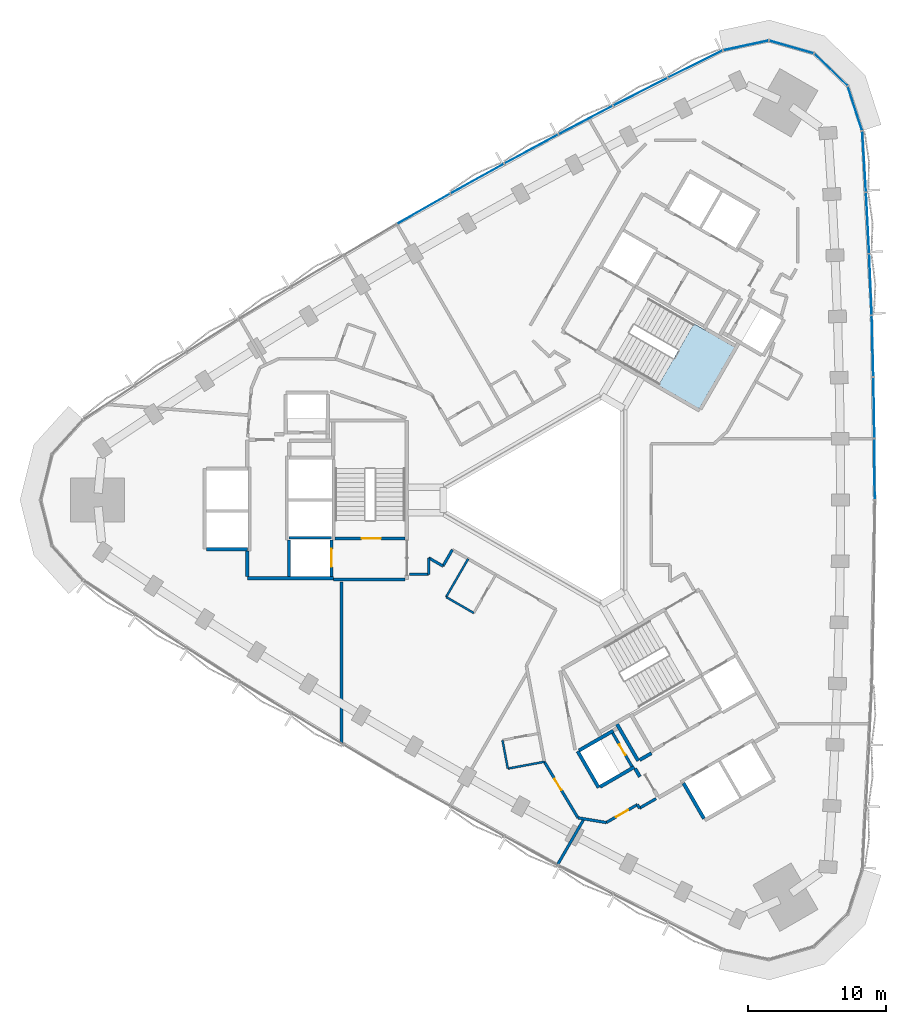
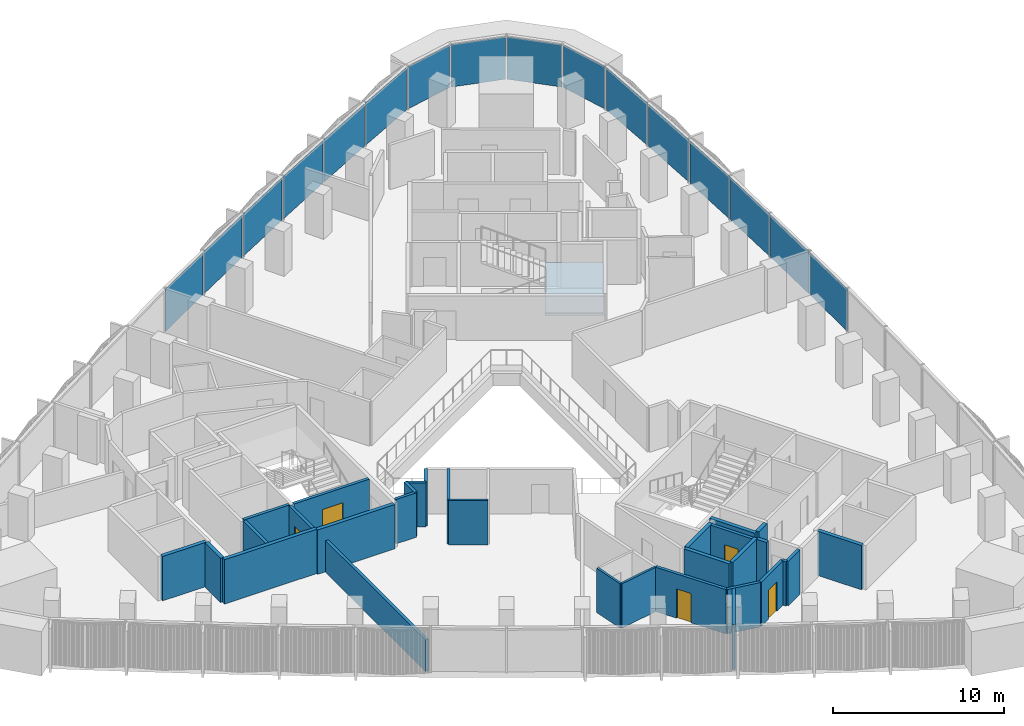
# One storey, part 7 of 15: 31 walls, 16 plates, 5 doors, 1 slab, 5 openings, 3 elements without a shape of their own.
"""IFC4 building model written with IfcOpenShell, lengths in metres."""

from ifc_helpers import new_model, si_unit, direction, frame, frame_2d, origin, origin_2d, place, context, subcontext, project, spatial, polyline, rectangle, outline, extrude, material, layer, layer_set, type_object, element, fill, aggregate, save


model = new_model("IFC4")

# Units and contexts
model_context = context("Model", 3, precision=1e-05, world=origin(), true_north=direction((0.0, 1.0)))
body_context = subcontext(model_context, "Body", "Model", "MODEL_VIEW")
ifc_project = project(units=[si_unit("LENGTHUNIT", "METRE"), si_unit("AREAUNIT", "SQUARE_METRE"), si_unit("VOLUMEUNIT", "CUBIC_METRE"), si_unit("PLANEANGLEUNIT", "RADIAN"), si_unit("MASSUNIT", "GRAM", prefix="KILO")], contexts=[model_context])

# Site, building, storey
site_placement = place(None, origin())
site = spatial("IfcSite", under=ifc_project, at=site_placement, CompositionType="ELEMENT")
building_placement = place(site_placement, origin())
building = spatial("IfcBuilding", under=site, at=building_placement, Name="Tamra Quay Hotel Tower", CompositionType="ELEMENT")
storey_placement = place(building_placement, frame((0.0, 0.0, 108.199951171875)))
storey = spatial("IfcBuildingStorey", under=building, at=storey_placement, Name="L26", CompositionType="ELEMENT", Elevation=108.199951171875)

# Stair, slab
ifc_material_1 = material(Name="Exit stair 2200 24 risers 150.0 going 342")
stair_type = type_object("IfcStairType", Name="Exit stair 2200 24 risers 150.0 going 342", PredefinedType="HALF_TURN_STAIR", material=ifc_material_1)
stair_placement = place(storey_placement, origin())
stair = element("IfcStair", 1, at=stair_placement, inside=storey, type_object=stair_type, Name="L26 Exit stair ST1", PredefinedType="HALF_TURN_STAIR")
ifc_material_2 = material(Name="Concrete M70", Category="concrete")
ifc_layer_1 = layer(ifc_material_2, 0.175048828125)
ifc_layer_set_1 = layer_set([ifc_layer_1], Name="Concrete M70 stair landing 180")
slab_type = type_object("IfcSlabType", Name="Concrete M70 stair landing 180", PredefinedType="LANDING", material=ifc_layer_set_1)
slab_placement = place(storey_placement, frame((0.0, 0.0, 1.625)))
slab = element("IfcSlab", 2, at=slab_placement, type_object=slab_type, Name="ST1 landing 1", PredefinedType="LANDING", context=body_context, shape_type="SweptSolid", body=[
    extrude(outline(polyline([(7.425048828125, 8.336669921875), (10.385009765625, 6.627685546875), (12.964599609375, 11.095458984375), (10.00439453125, 12.804443359375), (7.425048828125, 8.336669921875)])), origin(), (0.0, 0.0, 1.0), 0.175048828125),
])
aggregate(stair, [slab])

# Curtain wall, plates
ifc_material_3 = material(Name="Aluminium 6063 anodised dark grey", Category="aluminium")
curtain_wall_type_1 = type_object("IfcCurtainWallType", Name="CW1 CURTAIN WALL", PredefinedType="NOTDEFINED", material=ifc_material_3)
curtain_wall_1_placement = place(storey_placement, origin())
curtain_wall_1 = element("IfcCurtainWall", 3, at=curtain_wall_1_placement, inside=storey, type_object=curtain_wall_type_1, Name="CW1 east face L26", PredefinedType="NOTDEFINED")
ifc_material_4 = material(Name="Glass clear laminated low-iron", Category="glass")
ifc_layer_2 = layer(ifc_material_4, 0.033935546875)
ifc_layer_set_2 = layer_set([ifc_layer_2], Name="GLASS PANEL CW1 Z2")
plate_type_1 = type_object("IfcPlateType", Name="GLASS PANEL CW1 Z2", PredefinedType="CURTAIN_PANEL", material=ifc_layer_set_2)
plate_1_placement = place(storey_placement, frame((23.132080078125, 2.236572265625, 0.0), z_axis=(0.0, 0.0, 1.0), x_axis=(-0.00571269185, 0.999983682443, 0.0)))
plate_1 = element("IfcPlate", 4, at=plate_1_placement, type_object=plate_type_1, Name="CW1 glass L26.E.7", PredefinedType="CURTAIN_PANEL", context=body_context, shape_type="SweptSolid", body=[
    extrude(rectangle(XDim=4.373291015625, YDim=0.033935546875, at=origin_2d()), origin(), (0.0, 0.0, 1.0), 3.034912109375),
])
plate_2_placement = place(storey_placement, frame((23.080810546875, 6.70947265625, 0.0), z_axis=(0.0, 0.0, 1.0), x_axis=(-0.017133948461, 0.99985320313, 0.0)))
plate_2 = element("IfcPlate", 5, at=plate_2_placement, type_object=plate_type_1, Name="CW1 glass L26.E.8", PredefinedType="CURTAIN_PANEL", context=body_context, shape_type="SweptSolid", body=[
    extrude(rectangle(XDim=4.373291015625, YDim=0.033935546875, at=origin_2d()), origin(), (0.0, 0.0, 1.0), 3.034912109375),
])
plate_3_placement = place(storey_placement, frame((22.978759765625, 11.181396484375, 0.0), z_axis=(0.0, 0.0, 1.0), x_axis=(-0.028546324212, 0.999592470647, 0.0)))
plate_3 = element("IfcPlate", 6, at=plate_3_placement, type_object=plate_type_1, Name="CW1 glass L26.E.9", PredefinedType="CURTAIN_PANEL", context=body_context, shape_type="SweptSolid", body=[
    extrude(rectangle(XDim=4.373291015625, YDim=0.033935546875, at=origin_2d()), origin(), (0.0, 0.0, 1.0), 3.034912109375),
])
plate_4_placement = place(storey_placement, frame((22.825439453125, 15.652099609375, 0.0), z_axis=(0.0, 0.0, 1.0), x_axis=(-0.039943885581, 0.99920192454, 0.0)))
plate_4 = element("IfcPlate", 7, at=plate_4_placement, type_object=plate_type_1, Name="CW1 glass L26.E.10", PredefinedType="CURTAIN_PANEL", context=body_context, shape_type="SweptSolid", body=[
    extrude(rectangle(XDim=4.373291015625, YDim=0.033935546875, at=origin_2d()), origin(), (0.0, 0.0, 1.0), 3.034912109375),
])
plate_5_placement = place(storey_placement, frame((22.621337890625, 20.12060546875, 0.0), z_axis=(0.0, 0.0, 1.0), x_axis=(-0.051320736558, 0.998682222731, 0.0)))
plate_5 = element("IfcPlate", 8, at=plate_5_placement, type_object=plate_type_1, Name="CW1 glass L26.E.11", PredefinedType="CURTAIN_PANEL", context=body_context, shape_type="SweptSolid", body=[
    extrude(rectangle(XDim=4.373291015625, YDim=0.033935546875, at=origin_2d()), origin(), (0.0, 0.0, 1.0), 3.034912109375),
])
plate_6_placement = place(storey_placement, frame((22.366455078125, 24.5859375, 0.0), z_axis=(0.0, 0.0, 1.0), x_axis=(-0.062669917068, 0.998034308776, 0.0)))
plate_6 = element("IfcPlate", 9, at=plate_6_placement, type_object=plate_type_1, Name="CW1 glass L26.E.12", PredefinedType="CURTAIN_PANEL", context=body_context, shape_type="SweptSolid", body=[
    extrude(rectangle(XDim=4.372314453125, YDim=0.033935546875, at=origin_2d()), origin(), (0.0, 0.0, 1.0), 3.034912109375),
])
plate_7_placement = place(storey_placement, frame((21.70166015625, 28.43994140625, 0.0), z_axis=(0.0, 0.0, 1.0), x_axis=(-0.307790863622, 0.951454036867, 0.0)))
plate_7 = element("IfcPlate", 10, at=plate_7_placement, type_object=plate_type_1, Name="CW1 glass L26.E.13", PredefinedType="CURTAIN_PANEL", context=body_context, shape_type="SweptSolid", body=[
    extrude(rectangle(XDim=3.31005859375, YDim=0.033935546875, at=origin_2d()), origin(), (0.0, 0.0, 1.0), 3.034912109375),
])
plate_8_placement = place(storey_placement, frame((19.95068359375, 31.247314453125, 0.0), z_axis=(0.0, 0.0, 1.0), x_axis=(-0.71904127153, 0.694967373217, 0.0)))
plate_8 = element("IfcPlate", 11, at=plate_8_placement, type_object=plate_type_1, Name="CW1 glass L26.E.14", PredefinedType="CURTAIN_PANEL", context=body_context, shape_type="SweptSolid", body=[
    extrude(rectangle(XDim=3.31005859375, YDim=0.033935546875, at=origin_2d()), origin(), (0.0, 0.0, 1.0), 3.034912109375),
])
plate_9_placement = place(storey_placement, frame((17.08544921875, 32.9013671875, 0.0), z_axis=(0.0, 0.0, 1.0), x_axis=(-0.961380035772, 0.275224320906, 0.0)))
plate_9 = element("IfcPlate", 12, at=plate_9_placement, type_object=plate_type_1, Name="CW1 glass L26.E.15", PredefinedType="CURTAIN_PANEL", context=body_context, shape_type="SweptSolid", body=[
    extrude(rectangle(XDim=3.31005859375, YDim=0.033935546875, at=origin_2d()), origin(), (0.0, 0.0, 1.0), 3.034912109375),
])
plate_10_placement = place(storey_placement, frame((13.779052734375, 33.01416015625, 0.0), z_axis=(0.0, 0.0, 1.0), x_axis=(-0.977878798271, -0.209172311484, 0.0)))
plate_10 = element("IfcPlate", 13, at=plate_10_placement, type_object=plate_type_1, Name="CW1 glass L26.E.16", PredefinedType="CURTAIN_PANEL", context=body_context, shape_type="SweptSolid", body=[
    extrude(rectangle(XDim=3.31005859375, YDim=0.033935546875, at=origin_2d()), origin(), (0.0, 0.0, 1.0), 3.034912109375),
])
aggregate(curtain_wall_1, [plate_1, plate_2, plate_3, plate_4, plate_5, plate_6, plate_7, plate_8, plate_9, plate_10])

curtain_wall_type_2 = type_object("IfcCurtainWallType", Name="CW2 CURTAIN WALL", PredefinedType="NOTDEFINED", material=ifc_material_3)
curtain_wall_2_placement = place(storey_placement, origin())
curtain_wall_2 = element("IfcCurtainWall", 14, at=curtain_wall_2_placement, inside=storey, type_object=curtain_wall_type_2, Name="CW2 north-west face L26", PredefinedType="NOTDEFINED")
ifc_layer_3 = layer(ifc_material_4, 0.033935546875)
ifc_layer_set_3 = layer_set([ifc_layer_3], Name="GLASS PANEL CW2 Z2")
plate_type_2 = type_object("IfcPlateType", Name="GLASS PANEL CW2 Z2", PredefinedType="CURTAIN_PANEL", material=ifc_layer_set_3)
plate_11_placement = place(storey_placement, frame((10.10888671875, 31.662841796875, 0.0), z_axis=(0.0, 0.0, 1.0), x_axis=(-0.895658023783, -0.444743414154, 0.0)))
plate_11 = element("IfcPlate", 15, at=plate_11_placement, type_object=plate_type_2, Name="CW2 glass L26.NW.1", PredefinedType="CURTAIN_PANEL", context=body_context, shape_type="SweptSolid", body=[
    extrude(rectangle(XDim=4.372314453125, YDim=0.033935546875, at=origin_2d()), origin(), (0.0, 0.0, 1.0), 3.034912109375),
])
plate_12_placement = place(storey_placement, frame((6.1142578125, 29.65087890625, 0.0), z_axis=(0.0, 0.0, 1.0), x_axis=(-0.890544543472, -0.454896049765, 0.0)))
plate_12 = element("IfcPlate", 16, at=plate_12_placement, type_object=plate_type_2, Name="CW2 glass L26.NW.2", PredefinedType="CURTAIN_PANEL", context=body_context, shape_type="SweptSolid", body=[
    extrude(rectangle(XDim=4.373291015625, YDim=0.033935546875, at=origin_2d()), origin(), (0.0, 0.0, 1.0), 3.034912109375),
])
plate_13_placement = place(storey_placement, frame((2.142333984375, 27.593505859375, 0.0), z_axis=(0.0, 0.0, 1.0), x_axis=(-0.885306192952, -0.465008542631, 0.0)))
plate_13 = element("IfcPlate", 17, at=plate_13_placement, type_object=plate_type_2, Name="CW2 glass L26.NW.3", PredefinedType="CURTAIN_PANEL", context=body_context, shape_type="SweptSolid", body=[
    extrude(rectangle(XDim=4.373291015625, YDim=0.033935546875, at=origin_2d()), origin(), (0.0, 0.0, 1.0), 3.034912109375),
])
plate_14_placement = place(storey_placement, frame((-1.805908203125, 25.490966796875, 0.0), z_axis=(0.0, 0.0, 1.0), x_axis=(-0.879945635118, -0.475074393371, 0.0)))
plate_14 = element("IfcPlate", 18, at=plate_14_placement, type_object=plate_type_2, Name="CW2 glass L26.NW.4", PredefinedType="CURTAIN_PANEL", context=body_context, shape_type="SweptSolid", body=[
    extrude(rectangle(XDim=4.373291015625, YDim=0.033935546875, at=origin_2d()), origin(), (0.0, 0.0, 1.0), 3.034912109375),
])
plate_15_placement = place(storey_placement, frame((-5.729736328125, 23.34326171875, 0.0), z_axis=(0.0, 0.0, 1.0), x_axis=(-0.874465248197, -0.485088166931, 0.0)))
plate_15 = element("IfcPlate", 19, at=plate_15_placement, type_object=plate_type_2, Name="CW2 glass L26.NW.5", PredefinedType="CURTAIN_PANEL", context=body_context, shape_type="SweptSolid", body=[
    extrude(rectangle(XDim=4.373291015625, YDim=0.033935546875, at=origin_2d()), origin(), (0.0, 0.0, 1.0), 3.034912109375),
])
plate_16_placement = place(storey_placement, frame((-9.629150390625, 21.151123046875, 0.0), z_axis=(0.0, 0.0, 1.0), x_axis=(-0.86886761829, -0.495044504955, 0.0)))
plate_16 = element("IfcPlate", 20, at=plate_16_placement, type_object=plate_type_2, Name="CW2 glass L26.NW.6", PredefinedType="CURTAIN_PANEL", context=body_context, shape_type="SweptSolid", body=[
    extrude(rectangle(XDim=4.373291015625, YDim=0.033935546875, at=origin_2d()), origin(), (0.0, 0.0, 1.0), 3.034912109375),
])
aggregate(curtain_wall_2, [plate_11, plate_12, plate_13, plate_14, plate_15, plate_16])

# Wall, opening, door
ifc_layer_4 = layer(ifc_material_2, 0.199951171875)
ifc_layer_set_4 = layer_set([ifc_layer_4], Name="Concrete M70 core wall 200")
wall_type_1 = type_object("IfcWallType", Name="Concrete M70 core wall 200", PredefinedType="SHEAR", material=ifc_layer_set_4)
wall_1_placement = place(storey_placement, frame((-10.96337890625, -2.800048828125, 0.0), z_axis=(0.0, 0.0, 1.0), x_axis=(-1.0, 0.0, 0.0)))
wall_1 = element("IfcWall", 21, at=wall_1_placement, inside=storey, type_object=wall_type_1, Name="CW2", PredefinedType="SHEAR", context=body_context, shape_type="SweptSolid", body=[
    extrude(rectangle(XDim=5.097900390625, YDim=0.199951171875, at=frame_2d((2.548828125, 0.0))), origin(), (0.0, 0.0, 1.0), 3.175048828125),
])
opening_1_placement = place(wall_1_placement, frame((1.77392578125, 0.0, 0.0)))
opening_1 = element("IfcOpeningElement", 22, at=opening_1_placement, cuts=wall_1, Name="Opening FD2", PredefinedType="OPENING", context=body_context, shape_type="SweptSolid", body=[
    extrude(rectangle(XDim=1.39990234375, YDim=2.10009765625, at=frame_2d((0.699951171875, 1.050048828125))), frame((0.0, 0.10986328125, 0.0), z_axis=(0.0, -1.0, 0.0), x_axis=(1.0, 0.0, 0.0)), (0.0, 0.0, 1.0), 0.219970703125),
])
ifc_material_5 = material(Name="Core door FD2 1400x2100 LH")
door_type_1 = type_object("IfcDoorType", Name="Core door FD2 1400x2100 LH", OperationType="NOTDEFINED", PredefinedType="DOOR", material=ifc_material_5)
door_1_placement = place(opening_1_placement, origin())
door_1 = element("IfcDoor", 23, at=door_1_placement, inside=storey, type_object=door_type_1, Name="FD2", OperationType="SINGLE_SWING_LEFT", OverallHeight=2.10009765625, OverallWidth=1.39990234375, PredefinedType="DOOR", context=body_context, shape_type="SweptSolid", body=[
    extrude(rectangle(XDim=1.39990234375, YDim=2.10009765625, at=frame_2d((0.699951171875, 1.050048828125))), frame((0.0, 0.02490234375, 0.0), z_axis=(0.0, -1.0, 0.0), x_axis=(1.0, 0.0, 0.0)), (0.0, 0.0, 1.0), 0.050048828125),
])
fill(opening_1, door_1)

# Wall
wall_2_placement = place(storey_placement, frame((-19.412353515625, -2.75, 0.0), z_axis=(0.0, 0.0, 1.0), x_axis=(1.0, 0.0, 0.0)))
element("IfcWall", 24, at=wall_2_placement, inside=storey, type_object=wall_type_1, Name="CW2", PredefinedType="SHEAR", context=body_context, shape_type="SweptSolid", body=[
    extrude(rectangle(XDim=3.10009765625, YDim=0.199951171875, at=frame_2d((1.550048828125, 0.0))), origin(), (0.0, 0.0, 1.0), 3.175048828125),
])

# Wall, opening, door
wall_3_placement = place(storey_placement, frame((-16.312255859375, -2.898193359375, 0.0), z_axis=(0.0, 0.0, 1.0), x_axis=(0.0, -1.0, 0.0)))
wall_3 = element("IfcWall", 25, at=wall_3_placement, inside=storey, type_object=wall_type_1, Name="CW2", PredefinedType="SHEAR", context=body_context, shape_type="SweptSolid", body=[
    extrude(rectangle(XDim=2.65087890625, YDim=0.199951171875, at=frame_2d((1.325439453125, 0.0))), origin(), (0.0, 0.0, 1.0), 3.175048828125),
])
opening_2_placement = place(wall_3_placement, frame((0.65185546875, 0.0, 0.0)))
opening_2 = element("IfcOpeningElement", 26, at=opening_2_placement, cuts=wall_3, Name="Opening LD", PredefinedType="OPENING", context=body_context, shape_type="SweptSolid", body=[
    extrude(rectangle(XDim=1.300048828125, YDim=2.10009765625, at=frame_2d((0.64990234375, 1.050048828125))), frame((0.0, 0.10986328125, 0.0), z_axis=(0.0, -1.0, 0.0), x_axis=(1.0, 0.0, 0.0)), (0.0, 0.0, 1.0), 0.219970703125),
])
ifc_material_6 = material(Name="Landing door LD 1300 sliding to left")
door_type_2 = type_object("IfcDoorType", Name="Landing door LD 1300 sliding to left", OperationType="NOTDEFINED", PredefinedType="DOOR", material=ifc_material_6)
door_2_placement = place(opening_2_placement, origin())
door_2 = element("IfcDoor", 27, at=door_2_placement, inside=storey, type_object=door_type_2, Name="LD", OperationType="SLIDING_TO_LEFT", OverallHeight=2.10009765625, OverallWidth=1.300048828125, PredefinedType="DOOR", context=body_context, shape_type="SweptSolid", body=[
    extrude(rectangle(XDim=1.300048828125, YDim=2.10009765625, at=frame_2d((0.64990234375, 1.050048828125))), frame((0.0, 0.02490234375, 0.0), z_axis=(0.0, -1.0, 0.0), x_axis=(1.0, 0.0, 0.0)), (0.0, 0.0, 1.0), 0.050048828125),
])
fill(opening_2, door_2)

# Wall
wall_4_placement = place(storey_placement, frame((-19.412353515625, -5.549072265625, 0.0), z_axis=(0.0, 0.0, 1.0), x_axis=(0.0, 1.0, 0.0)))
element("IfcWall", 28, at=wall_4_placement, inside=storey, type_object=wall_type_1, Name="CW2", PredefinedType="SHEAR", context=body_context, shape_type="SweptSolid", body=[
    extrude(rectangle(XDim=2.65087890625, YDim=0.199951171875, at=frame_2d((1.325439453125, 0.0))), origin(), (0.0, 0.0, 1.0), 3.175048828125),
])

# Wall, opening, door
wall_5_placement = place(storey_placement, frame((5.50341796875, -19.352294921875, 0.0), z_axis=(0.0, 0.0, 1.0), x_axis=(-0.499986818241, 0.866033014143, 0.0)))
wall_5 = element("IfcWall", 29, at=wall_5_placement, inside=storey, type_object=wall_type_1, Name="CW2", PredefinedType="SHEAR", context=body_context, shape_type="SweptSolid", body=[
    extrude(rectangle(XDim=2.7978515625, YDim=0.199951171875, at=frame_2d((1.39892578125, 0.0))), origin(), (0.0, 0.0, 1.0), 3.175048828125),
])
opening_3_placement = place(wall_5_placement, frame((0.948974609375, 0.0, 0.0)))
opening_3 = element("IfcOpeningElement", 30, at=opening_3_placement, cuts=wall_5, Name="Opening D1", PredefinedType="OPENING", context=body_context, shape_type="SweptSolid", body=[
    extrude(rectangle(XDim=0.89990234375, YDim=2.10009765625, at=frame_2d((0.449951171875, 1.050048828125))), frame((0.0, 0.10986328125, 0.0), z_axis=(0.0, -1.0, 0.0), x_axis=(1.0, 0.0, 0.0)), (0.0, 0.0, 1.0), 0.219970703125),
])
ifc_material_7 = material(Name="Core door D1 900x2100 LH")
door_type_3 = type_object("IfcDoorType", Name="Core door D1 900x2100 LH", OperationType="NOTDEFINED", PredefinedType="DOOR", material=ifc_material_7)
door_3_placement = place(opening_3_placement, origin())
door_3 = element("IfcDoor", 31, at=door_3_placement, inside=storey, type_object=door_type_3, Name="D1", OperationType="SINGLE_SWING_LEFT", OverallHeight=2.10009765625, OverallWidth=0.89990234375, PredefinedType="DOOR", context=body_context, shape_type="SweptSolid", body=[
    extrude(rectangle(XDim=0.89990234375, YDim=2.10009765625, at=frame_2d((0.449951171875, 1.050048828125))), frame((0.0, 0.02490234375, 0.0), z_axis=(0.0, -1.0, 0.0), x_axis=(1.0, 0.0, 0.0)), (0.0, 0.0, 1.0), 0.050048828125),
])
fill(opening_3, door_3)

# Walls
ifc_layer_5 = layer(ifc_material_2, 0.25)
ifc_layer_set_5 = layer_set([ifc_layer_5], Name="Concrete M70 core wall 250")
wall_type_2 = type_object("IfcWallType", Name="Concrete M70 core wall 250", PredefinedType="SHEAR", material=ifc_layer_set_5)
wall_6_placement = place(storey_placement, frame((-16.187255859375, -5.675048828125, 0.0), z_axis=(0.0, 0.0, 1.0), x_axis=(-1.0, 0.0, 0.0)))
element("IfcWall", 32, at=wall_6_placement, inside=storey, type_object=wall_type_2, Name="CW1", PredefinedType="SHEAR", context=body_context, shape_type="SweptSolid", body=[
    extrude(rectangle(XDim=6.25, YDim=0.25, at=frame_2d((3.125, 0.0))), origin(), (0.0, 0.0, 1.0), 3.175048828125),
])
wall_7_placement = place(storey_placement, frame((-10.962646484375, -5.77490234375, 0.0), z_axis=(0.0, 0.0, 1.0), x_axis=(-1.0, 0.0, 0.0)))
element("IfcWall", 33, at=wall_7_placement, inside=storey, type_object=wall_type_2, Name="CW1", PredefinedType="SHEAR", context=body_context, shape_type="SweptSolid", body=[
    extrude(rectangle(XDim=5.224609375, YDim=0.25, at=frame_2d((2.6123046875, 0.0))), origin(), (0.0, 0.0, 1.0), 3.175048828125),
])
wall_8_placement = place(storey_placement, frame((-22.437255859375, -3.574951171875, 0.0), z_axis=(0.0, 0.0, 1.0), x_axis=(-1.0, 0.0, 0.0)))
element("IfcWall", 34, at=wall_8_placement, inside=storey, type_object=wall_type_2, Name="CW1", PredefinedType="SHEAR", context=body_context, shape_type="SweptSolid", body=[
    extrude(rectangle(XDim=2.974609375, YDim=0.25, at=frame_2d((1.4873046875, 0.0))), origin(), (0.0, 0.0, 1.0), 3.175048828125),
])
wall_9_placement = place(storey_placement, frame((-22.437255859375, -5.549560546875, 0.0), z_axis=(0.0, 0.0, 1.0), x_axis=(0.0, 1.0, 0.0)))
element("IfcWall", 35, at=wall_9_placement, inside=storey, type_object=wall_type_2, Name="CW1", PredefinedType="SHEAR", context=body_context, shape_type="SweptSolid", body=[
    extrude(rectangle(XDim=1.84912109375, YDim=0.25, at=frame_2d((0.924560546875, 0.0))), origin(), (0.0, 0.0, 1.0), 3.175048828125),
])
wall_10_placement = place(storey_placement, frame((10.73583984375, -23.144775390625, 0.0), z_axis=(0.0, 0.0, 1.0), x_axis=(-0.500023226632, 0.866011993467, 0.0)))
element("IfcWall", 36, at=wall_10_placement, inside=storey, type_object=wall_type_2, Name="CW1", PredefinedType="SHEAR", context=body_context, shape_type="SweptSolid", body=[
    extrude(rectangle(XDim=2.974365234375, YDim=0.25, at=frame_2d((1.4873046875, 0.0))), origin(), (0.0, 0.0, 1.0), 3.175048828125),
])
wall_11_placement = place(storey_placement, frame((3.085205078125, -20.893798828125, 0.0), z_axis=(0.0, 0.0, 1.0), x_axis=(-0.499978833458, 0.866037623948, 0.0)))
element("IfcWall", 37, at=wall_11_placement, inside=storey, type_object=wall_type_2, Name="CW1", PredefinedType="SHEAR", context=body_context, shape_type="SweptSolid", body=[
    extrude(rectangle(XDim=3.050048828125, YDim=0.25, at=frame_2d((1.52490234375, 0.0))), origin(), (0.0, 0.0, 1.0), 3.175048828125),
])
wall_12_placement = place(storey_placement, frame((1.6689453125, -18.189697265625, 0.0), z_axis=(0.0, 0.0, 1.0), x_axis=(0.866042235819, 0.499970844928, 0.0)))
element("IfcWall", 38, at=wall_12_placement, inside=storey, type_object=wall_type_2, Name="CW1", PredefinedType="SHEAR", context=body_context, shape_type="SweptSolid", body=[
    extrude(rectangle(XDim=2.864501953125, YDim=0.25, at=frame_2d((1.43212890625, 0.0))), origin(), (0.0, 0.0, 1.0), 3.175048828125),
])
wall_13_placement = place(storey_placement, frame((5.6748046875, -19.39892578125, 0.0), z_axis=(0.0, 0.0, 1.0), x_axis=(-0.866026637627, -0.499997862916, 0.0)))
element("IfcWall", 39, at=wall_13_placement, inside=storey, type_object=wall_type_2, Name="CW1", PredefinedType="SHEAR", context=body_context, shape_type="SweptSolid", body=[
    extrude(rectangle(XDim=2.86474609375, YDim=0.25, at=frame_2d((1.432373046875, 0.0))), origin(), (0.0, 0.0, 1.0), 3.175048828125),
])
wall_14_placement = place(storey_placement, frame((4.414306640625, -16.275634765625, 0.0), z_axis=(0.0, 0.0, 1.0), x_axis=(0.500003324108, -0.866023484601, 0.0)))
element("IfcWall", 40, at=wall_14_placement, inside=storey, type_object=wall_type_2, Name="CW1", PredefinedType="SHEAR", context=body_context, shape_type="SweptSolid", body=[
    extrude(rectangle(XDim=3.0849609375, YDim=0.25, at=frame_2d((1.54248046875, 0.0))), origin(), (0.0, 0.0, 1.0), 3.175048828125),
])
wall_15_placement = place(storey_placement, frame((6.0654296875, -18.884765625, 0.0), z_axis=(0.0, 0.0, 1.0), x_axis=(0.866017078145, 0.500014420154, 0.0)))
element("IfcWall", 41, at=wall_15_placement, inside=storey, type_object=wall_type_2, Name="CW1", PredefinedType="SHEAR", context=body_context, shape_type="SweptSolid", body=[
    extrude(rectangle(XDim=0.9892578125, YDim=0.25, at=frame_2d((0.49462890625, 0.0))), origin(), (0.0, 0.0, 1.0), 3.175048828125),
])
wall_16_placement = place(storey_placement, frame((6.07958984375, -20.100341796875, 0.0), z_axis=(0.0, 0.0, 1.0), x_axis=(-0.500051773299, 0.865995510393, 0.0)))
element("IfcWall", 42, at=wall_16_placement, inside=storey, type_object=wall_type_2, Name="CW1", PredefinedType="SHEAR", context=body_context, shape_type="SweptSolid", body=[
    extrude(rectangle(XDim=0.6845703125, YDim=0.25, at=frame_2d((0.34228515625, 0.0))), origin(), (0.0, 0.0, 1.0), 3.175048828125),
])
ifc_material_8 = material(Name="Partition corridor wall")
ifc_layer_6 = layer(ifc_material_8, 0.199951171875)
ifc_layer_set_6 = layer_set([ifc_layer_6], Name="Partition corridor wall")
wall_type_3 = type_object("IfcWallType", Name="Partition corridor wall", PredefinedType="PARTITIONING", material=ifc_layer_set_6)
wall_17_placement = place(storey_placement, frame((-10.65234375, -5.39990234375, 0.0), z_axis=(0.0, 0.0, 1.0), x_axis=(1.0, 0.0, 0.0)))
element("IfcWall", 43, at=wall_17_placement, inside=storey, type_object=wall_type_3, Name="W-C", PredefinedType="PARTITIONING", context=body_context, shape_type="SweptSolid", body=[
    extrude(rectangle(XDim=1.390380859375, YDim=0.199951171875, at=frame_2d((0.6953125, 0.0))), origin(), (0.0, 0.0, 1.0), 3.175048828125),
])
for number, where, z_axis, x_axis, name in (
    (44, (-9.261962890625, -5.39990234375, 0.0), (0.0, 0.0, 1.0), (0.0, 1.0, 0.0), "W-C"),
    (45, (-9.261962890625, -4.199951171875, 0.0), (0.0, 0.0, 1.0), (0.865955154139, -0.50012165622, 0.0), "W-C"),
):
    element("IfcWall", number, at=place(storey_placement, frame(where, z_axis=z_axis, x_axis=x_axis)), inside=storey, type_object=wall_type_3, Name=name, PredefinedType="PARTITIONING", context=body_context, shape_type="SweptSolid", body=[
        extrude(rectangle(XDim=1.199951171875, YDim=0.199951171875, at=frame_2d((0.60009765625, 0.0))), origin(), (0.0, 0.0, 1.0), 3.175048828125),
    ])
wall_18_placement = place(storey_placement, frame((-8.222900390625, -4.800048828125, 0.0), z_axis=(0.0, 0.0, 1.0), x_axis=(0.499804837697, 0.866138051476, 0.0)))
element("IfcWall", 46, at=wall_18_placement, inside=storey, type_object=wall_type_3, Name="W-C", PredefinedType="PARTITIONING", context=body_context, shape_type="SweptSolid", body=[
    extrude(rectangle(XDim=1.3681640625, YDim=0.199951171875, at=frame_2d((0.68408203125, 0.0))), origin(), (0.0, 0.0, 1.0), 3.175048828125),
])

# Wall, opening, door
wall_19_placement = place(storey_placement, frame((-0.85791015625, -19.01708984375, 0.0), z_axis=(0.0, 0.0, 1.0), x_axis=(0.514586543775, -0.857438446167, 0.0)))
wall_19 = element("IfcWall", 47, at=wall_19_placement, inside=storey, type_object=wall_type_3, Name="W-C", PredefinedType="PARTITIONING", context=body_context, shape_type="SweptSolid", body=[
    extrude(rectangle(XDim=4.745361328125, YDim=0.199951171875, at=frame_2d((2.37255859375, 0.0))), origin(), (0.0, 0.0, 1.0), 3.175048828125),
])
opening_4_placement = place(wall_19_placement, frame((1.445556640625, 0.0, 0.0)))
opening_4 = element("IfcOpeningElement", 48, at=opening_4_placement, cuts=wall_19, Name="Opening L26-D016", PredefinedType="OPENING", context=body_context, shape_type="SweptSolid", body=[
    extrude(rectangle(XDim=0.949951171875, YDim=2.10009765625, at=frame_2d((0.47509765625, 1.050048828125))), frame((0.0, 0.10986328125, 0.0), z_axis=(0.0, -1.0, 0.0), x_axis=(1.0, 0.0, 0.0)), (0.0, 0.0, 1.0), 0.219970703125),
])
ifc_material_9 = material(Name="Door guest room 950x2100")
door_type_4 = type_object("IfcDoorType", Name="Door guest room 950x2100", OperationType="NOTDEFINED", PredefinedType="DOOR", material=ifc_material_9)
door_4_placement = place(opening_4_placement, frame((0.949951171875, 0.0, 0.0), z_axis=(0.0, 0.0, 1.0), x_axis=(-1.0, 0.0, 0.0)))
door_4 = element("IfcDoor", 49, at=door_4_placement, inside=storey, type_object=door_type_4, Name="L26-D016", OperationType="SINGLE_SWING_LEFT", OverallHeight=2.10009765625, OverallWidth=0.949951171875, PredefinedType="DOOR", context=body_context, shape_type="SweptSolid", body=[
    extrude(rectangle(XDim=0.949951171875, YDim=2.10009765625, at=frame_2d((0.47509765625, 1.050048828125))), frame((0.0, 0.02490234375, 0.0), z_axis=(0.0, -1.0, 0.0), x_axis=(1.0, 0.0, 0.0)), (0.0, 0.0, 1.0), 0.050048828125),
])
fill(opening_4, door_4)

# Wall
wall_20_placement = place(storey_placement, frame((1.583984375, -23.0859375, 0.0), z_axis=(0.0, 0.0, 1.0), x_axis=(0.986516952697, -0.163659103145, 0.0)))
element("IfcWall", 50, at=wall_20_placement, inside=storey, type_object=wall_type_3, Name="W-C", PredefinedType="PARTITIONING", context=body_context, shape_type="SweptSolid", body=[
    extrude(rectangle(XDim=2.0869140625, YDim=0.199951171875, at=frame_2d((1.04345703125, 0.0))), origin(), (0.0, 0.0, 1.0), 3.175048828125),
])

# Wall, opening, door
wall_21_placement = place(storey_placement, frame((3.64306640625, -23.426025390625, 0.0), z_axis=(0.0, 0.0, 1.0), x_axis=(0.866654350985, 0.498909045738, 0.0)))
wall_21 = element("IfcWall", 51, at=wall_21_placement, inside=storey, type_object=wall_type_3, Name="W-C", PredefinedType="PARTITIONING", context=body_context, shape_type="SweptSolid", body=[
    extrude(rectangle(XDim=2.607666015625, YDim=0.199951171875, at=frame_2d((1.3037109375, 0.0))), origin(), (0.0, 0.0, 1.0), 3.175048828125),
])
opening_5_placement = place(wall_21_placement, frame((0.803955078125, 0.0, 0.0)))
opening_5 = element("IfcOpeningElement", 52, at=opening_5_placement, cuts=wall_21, Name="Opening L26-D018", PredefinedType="OPENING", context=body_context, shape_type="SweptSolid", body=[
    extrude(rectangle(XDim=1.0, YDim=2.10009765625, at=frame_2d((0.5, 1.050048828125))), frame((0.0, 0.10986328125, 0.0), z_axis=(0.0, -1.0, 0.0), x_axis=(1.0, 0.0, 0.0)), (0.0, 0.0, 1.0), 0.219970703125),
])
ifc_material_10 = material(Name="Door guest room 1000x2100")
door_type_5 = type_object("IfcDoorType", Name="Door guest room 1000x2100", OperationType="NOTDEFINED", PredefinedType="DOOR", material=ifc_material_10)
door_5_placement = place(opening_5_placement, frame((1.0, 0.0, 0.0), z_axis=(0.0, 0.0, 1.0), x_axis=(-1.0, 0.0, 0.0)))
door_5 = element("IfcDoor", 53, at=door_5_placement, inside=storey, type_object=door_type_5, Name="L26-D018", OperationType="SINGLE_SWING_LEFT", OverallHeight=2.10009765625, OverallWidth=1.0, PredefinedType="DOOR", context=body_context, shape_type="SweptSolid", body=[
    extrude(rectangle(XDim=1.0, YDim=2.10009765625, at=frame_2d((0.5, 1.050048828125))), frame((0.0, 0.02490234375, 0.0), z_axis=(0.0, -1.0, 0.0), x_axis=(1.0, 0.0, 0.0)), (0.0, 0.0, 1.0), 0.050048828125),
])
fill(opening_5, door_5)

# Walls
wall_22_placement = place(storey_placement, frame((6.053955078125, -22.385009765625, 0.0), z_axis=(0.0, 0.0, 1.0), x_axis=(0.86593101922, 0.500163443238, 0.0)))
element("IfcWall", 54, at=wall_22_placement, inside=storey, type_object=wall_type_3, Name="W-C", PredefinedType="PARTITIONING", context=body_context, shape_type="SweptSolid", body=[
    extrude(rectangle(XDim=1.3896484375, YDim=0.199951171875, at=frame_2d((0.69482421875, 0.0))), origin(), (0.0, 0.0, 1.0), 3.175048828125),
])
wall_23_placement = place(storey_placement, frame((5.903076171875, -22.125, 0.0), z_axis=(0.0, 0.0, 1.0), x_axis=(0.499464218792, -0.866334516308, 0.0)))
element("IfcWall", 55, at=wall_23_placement, inside=storey, type_object=wall_type_3, Name="W-C", PredefinedType="PARTITIONING", context=body_context, shape_type="SweptSolid", body=[
    extrude(rectangle(XDim=0.300048828125, YDim=0.199951171875, at=frame_2d((0.14990234375, 0.0))), origin(), (0.0, 0.0, 1.0), 3.175048828125),
])
ifc_material_11 = material(Name="Partition en-suite wall")
ifc_layer_7 = layer(ifc_material_11, 0.14990234375)
ifc_layer_set_7 = layer_set([ifc_layer_7], Name="Partition en-suite wall")
wall_type_4 = type_object("IfcWallType", Name="Partition en-suite wall", PredefinedType="PARTITIONING", material=ifc_layer_set_7)
wall_24_placement = place(storey_placement, frame((-7.991943359375, -7.044921875, 0.0), z_axis=(0.0, 0.0, 1.0), x_axis=(0.500039698392, 0.866002482694, 0.0)))
element("IfcWall", 56, at=wall_24_placement, inside=storey, type_object=wall_type_4, Name="W-E", PredefinedType="PARTITIONING", context=body_context, shape_type="SweptSolid", body=[
    extrude(rectangle(XDim=3.197509765625, YDim=0.14990234375, at=frame_2d((1.5986328125, 0.0))), origin(), (0.0, 0.0, 1.0), 3.175048828125),
])
wall_25_placement = place(storey_placement, frame((-7.989013671875, -7.050048828125, 0.0), z_axis=(0.0, 0.0, 1.0), x_axis=(0.866020424307, -0.500008624609, 0.0)))
element("IfcWall", 57, at=wall_25_placement, inside=storey, type_object=wall_type_4, Name="W-E", PredefinedType="PARTITIONING", context=body_context, shape_type="SweptSolid", body=[
    extrude(rectangle(XDim=2.31396484375, YDim=0.14990234375, at=frame_2d((1.156982421875, 0.0))), origin(), (0.0, 0.0, 1.0), 3.175048828125),
])
wall_26_placement = place(storey_placement, frame((-3.89794921875, -17.448974609375, 0.0), z_axis=(0.0, 0.0, 1.0), x_axis=(0.184161939084, -0.982895915239, 0.0)))
element("IfcWall", 58, at=wall_26_placement, inside=storey, type_object=wall_type_4, Name="W-E", PredefinedType="PARTITIONING", context=body_context, shape_type="SweptSolid", body=[
    extrude(rectangle(XDim=2.095947265625, YDim=0.14990234375, at=frame_2d((1.0478515625, 0.0))), origin(), (0.0, 0.0, 1.0), 3.175048828125),
])
wall_27_placement = place(storey_placement, frame((-3.510009765625, -19.510986328125, 0.0), z_axis=(0.0, 0.0, 1.0), x_axis=(0.982950973509, 0.183867842969, 0.0)))
element("IfcWall", 59, at=wall_27_placement, inside=storey, type_object=wall_type_4, Name="W-E", PredefinedType="PARTITIONING", context=body_context, shape_type="SweptSolid", body=[
    extrude(rectangle(XDim=2.697998046875, YDim=0.14990234375, at=frame_2d((1.34912109375, 0.0))), origin(), (0.0, 0.0, 1.0), 3.175048828125),
])
ifc_material_12 = material(Name="Partition party wall")
ifc_layer_8 = layer(ifc_material_12, 0.199951171875)
ifc_layer_set_8 = layer_set([ifc_layer_8], Name="Partition party wall")
wall_type_5 = type_object("IfcWallType", Name="Partition party wall", PredefinedType="PARTITIONING", material=ifc_layer_set_8)
wall_28_placement = place(storey_placement, frame((-15.5869140625, -17.68798828125, 0.0), z_axis=(0.0, 0.0, 1.0), x_axis=(0.0, 1.0, 0.0)))
element("IfcWall", 60, at=wall_28_placement, inside=storey, type_object=wall_type_5, Name="W-P", PredefinedType="PARTITIONING", context=body_context, shape_type="SweptSolid", body=[
    extrude(rectangle(XDim=11.72802734375, YDim=0.199951171875, at=frame_2d((5.864013671875, 0.0))), origin(), (0.0, 0.0, 1.0), 2.275146484375),
])
wall_29_placement = place(storey_placement, frame((0.090087890625, -26.5087890625, 0.0), z_axis=(0.0, 0.0, 1.0), x_axis=(0.499961037585, 0.866047897577, 0.0)))
element("IfcWall", 61, at=wall_29_placement, inside=storey, type_object=wall_type_5, Name="W-P", PredefinedType="PARTITIONING", context=body_context, shape_type="SweptSolid", body=[
    extrude(rectangle(XDim=3.867919921875, YDim=0.199951171875, at=frame_2d((1.93408203125, 0.0))), origin(), (0.0, 0.0, 1.0), 3.175048828125),
])

save(model, "model.ifc")
